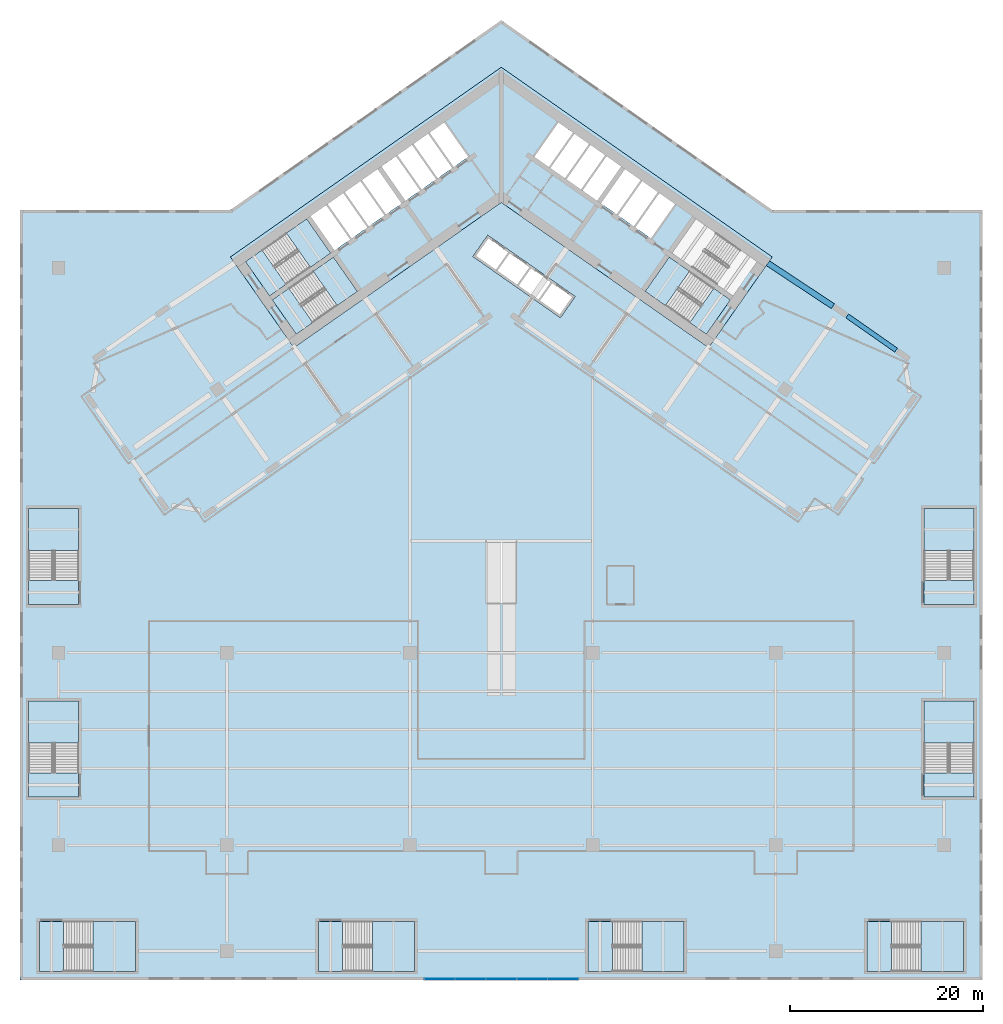
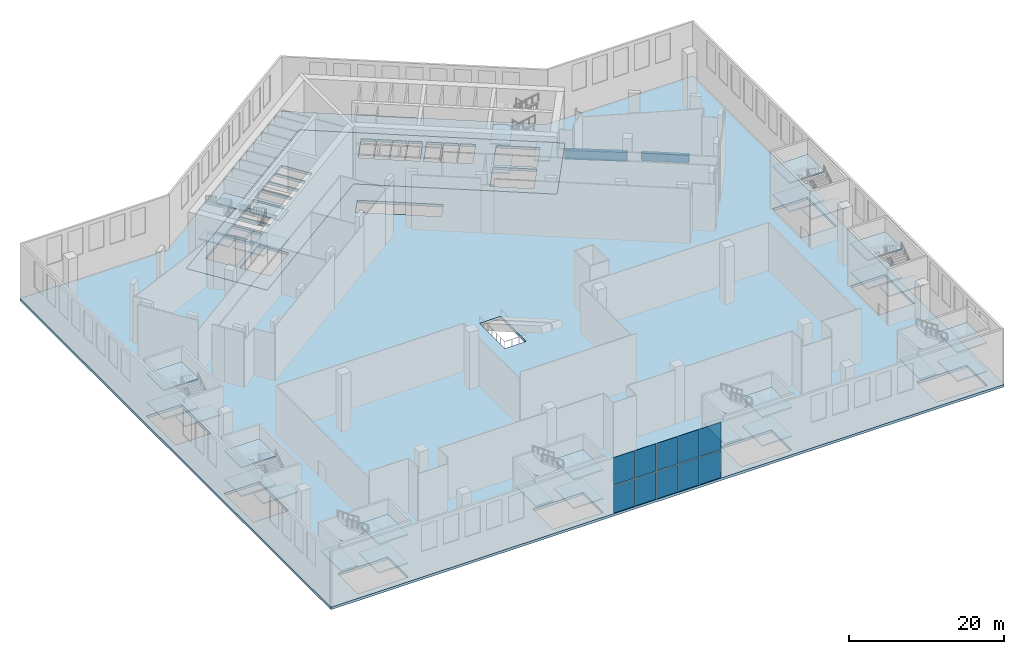
# One storey, part 4 of 27: 35 slabs, 10 plates, 2 beams, 12 elements without a shape of their own.
"""IFC4 building model written with IfcOpenShell, lengths in metres."""

from ifc_helpers import new_model, si_unit, direction, frame, origin, origin_2d, place, context, subcontext, project, spatial, polyline, rectangle, outline, extrude, material, layer, layer_set, material_profile, profile_set, type_object, element, aggregate, save


model = new_model("IFC4")

# Units and contexts
model_context = context("Model", 3, precision=1e-05, world=origin(), true_north=direction((0.0, 1.0)))
body_context = subcontext(model_context, "Body", "Model", "MODEL_VIEW")
ifc_project = project(units=[si_unit("LENGTHUNIT", "METRE"), si_unit("AREAUNIT", "SQUARE_METRE"), si_unit("VOLUMEUNIT", "CUBIC_METRE"), si_unit("PLANEANGLEUNIT", "RADIAN"), si_unit("MASSUNIT", "GRAM", prefix="KILO")], contexts=[model_context])

# Site, building, storey
site_placement = place(None, origin())
site = spatial("IfcSite", under=ifc_project, at=site_placement, CompositionType="ELEMENT")
building_placement = place(site_placement, origin())
building = spatial("IfcBuilding", under=site, at=building_placement, Name="Tel Ilan Convention Tower", CompositionType="ELEMENT")
storey_placement = place(building_placement, frame((0.0, 0.0, 9.0)))
storey = spatial("IfcBuildingStorey", under=building, at=storey_placement, Name="L01", CompositionType="ELEMENT", Elevation=9.0)

# Beams
ifc_material_1 = material(Name="Concrete C40/50", Category="concrete")
ifc_material_profile_1 = material_profile(ifc_material_1, rectangle(XDim=0.5, YDim=1.199951171875, at=origin_2d()), Name="RC 500x1200")
ifc_profile_set_1 = profile_set([ifc_material_profile_1], Name="Concrete C40/50")
beam_type_1 = type_object("IfcBeamType", Name="Beam RC 500x1200 Concrete C40/50", PredefinedType="BEAM", material=ifc_profile_set_1)
beam_1_placement = place(storey_placement, frame((41.013916015625, -16.571533203125, -1.0), z_axis=(-0.819154257689, 0.573573275275, 0.0), x_axis=(-0.573573275275, -0.819154257689, 0.0)))
element("IfcBeam", 1, at=beam_1_placement, inside=storey, type_object=beam_type_1, Name="L01 beam E-E-BC-E-B4", PredefinedType="BEAM", context=body_context, shape_type="SweptSolid", body=[
    extrude(rectangle(XDim=0.5, YDim=1.199951171875, at=origin_2d()), origin(), (0.0, 0.0, 1.0), 6.203369140625),
])
ifc_material_2 = material(Name="Concrete C40/50", Category="concrete")
ifc_material_profile_2 = material_profile(ifc_material_2, rectangle(XDim=0.60009765625, YDim=1.39990234375, at=origin_2d()), Name="RC 600x1400")
ifc_profile_set_2 = profile_set([ifc_material_profile_2], Name="Concrete C40/50")
beam_type_2 = type_object("IfcBeamType", Name="Beam RC 600x1400 Concrete C40/50", PredefinedType="BEAM", material=ifc_profile_set_2)
beam_2_placement = place(storey_placement, frame((34.446044921875, -12.002197265625, -1.10009765625), z_axis=(-0.834272961755, 0.551351634879, 0.0), x_axis=(-0.551351634879, -0.834272961755, 0.0)))
element("IfcBeam", 2, at=beam_2_placement, inside=storey, type_object=beam_type_2, Name="L01 beam E-E-B4-core", PredefinedType="BEAM", context=body_context, shape_type="SweptSolid", body=[
    extrude(rectangle(XDim=0.60009765625, YDim=1.39990234375, at=origin_2d()), origin(), (0.0, 0.0, 1.0), 8.103759765625),
])

# Curtain wall, plates
ifc_material_3 = material(Name="Aluminium, bronze anodised", Category="aluminium")
curtain_wall_type = type_object("IfcCurtainWallType", Name="CW3 FOYER CURTAIN WALL, CLEAR GLASS", PredefinedType="NOTDEFINED", material=ifc_material_3)
curtain_wall_placement = place(storey_placement, origin())
curtain_wall = element("IfcCurtainWall", 3, at=curtain_wall_placement, inside=storey, type_object=curtain_wall_type, Name="Curtain wall CW3-04.F01", PredefinedType="NOTDEFINED")
ifc_material_4 = material(Name="Glass, clear, two-ply", Category="glass")
ifc_layer_1 = layer(ifc_material_4, 0.028076171875)
ifc_layer_set_1 = layer_set([ifc_layer_1], Name="CW FOYER GLASS PANEL 28")
plate_type = type_object("IfcPlateType", Name="CW FOYER GLASS PANEL 28", PredefinedType="CURTAIN_PANEL", material=ifc_layer_set_1)
plate_1_placement = place(storey_placement, frame((-6.39990234375, -81.89990234375, 0.0), z_axis=(0.0, 0.0, 1.0), x_axis=(1.0, 0.0, 0.0)))
plate_1 = element("IfcPlate", 4, at=plate_1_placement, type_object=plate_type, Name="Glass panel", PredefinedType="CURTAIN_PANEL", context=body_context, shape_type="SweptSolid", body=[
    extrude(rectangle(XDim=3.139892578125, YDim=0.028076171875, at=origin_2d()), origin(), (0.0, 0.0, 1.0), 4.300048828125),
])
plate_2_placement = place(storey_placement, frame((-6.39990234375, -81.89990234375, 4.419921875), z_axis=(0.0, 0.0, 1.0), x_axis=(1.0, 0.0, 0.0)))
plate_2 = element("IfcPlate", 5, at=plate_2_placement, type_object=plate_type, Name="Glass panel", PredefinedType="CURTAIN_PANEL", context=body_context, shape_type="SweptSolid", body=[
    extrude(rectangle(XDim=3.139892578125, YDim=0.028076171875, at=origin_2d()), origin(), (0.0, 0.0, 1.0), 4.300048828125),
])
plate_3_placement = place(storey_placement, frame((-3.199951171875, -81.89990234375, 0.0), z_axis=(0.0, 0.0, 1.0), x_axis=(1.0, 0.0, 0.0)))
plate_3 = element("IfcPlate", 6, at=plate_3_placement, type_object=plate_type, Name="Glass panel", PredefinedType="CURTAIN_PANEL", context=body_context, shape_type="SweptSolid", body=[
    extrude(rectangle(XDim=3.139892578125, YDim=0.028076171875, at=origin_2d()), origin(), (0.0, 0.0, 1.0), 4.300048828125),
])
plate_4_placement = place(storey_placement, frame((-3.199951171875, -81.89990234375, 4.419921875), z_axis=(0.0, 0.0, 1.0), x_axis=(1.0, 0.0, 0.0)))
plate_4 = element("IfcPlate", 7, at=plate_4_placement, type_object=plate_type, Name="Glass panel", PredefinedType="CURTAIN_PANEL", context=body_context, shape_type="SweptSolid", body=[
    extrude(rectangle(XDim=3.139892578125, YDim=0.028076171875, at=origin_2d()), origin(), (0.0, 0.0, 1.0), 4.300048828125),
])
plate_5_placement = place(storey_placement, frame((0.0, -81.89990234375, 0.0), z_axis=(0.0, 0.0, 1.0), x_axis=(1.0, 0.0, 0.0)))
plate_5 = element("IfcPlate", 8, at=plate_5_placement, type_object=plate_type, Name="Glass panel", PredefinedType="CURTAIN_PANEL", context=body_context, shape_type="SweptSolid", body=[
    extrude(rectangle(XDim=3.139892578125, YDim=0.028076171875, at=origin_2d()), origin(), (0.0, 0.0, 1.0), 4.300048828125),
])
plate_6_placement = place(storey_placement, frame((0.0, -81.89990234375, 4.419921875), z_axis=(0.0, 0.0, 1.0), x_axis=(1.0, 0.0, 0.0)))
plate_6 = element("IfcPlate", 9, at=plate_6_placement, type_object=plate_type, Name="Glass panel", PredefinedType="CURTAIN_PANEL", context=body_context, shape_type="SweptSolid", body=[
    extrude(rectangle(XDim=3.139892578125, YDim=0.028076171875, at=origin_2d()), origin(), (0.0, 0.0, 1.0), 4.300048828125),
])
plate_7_placement = place(storey_placement, frame((3.199951171875, -81.89990234375, 0.0), z_axis=(0.0, 0.0, 1.0), x_axis=(1.0, 0.0, 0.0)))
plate_7 = element("IfcPlate", 10, at=plate_7_placement, type_object=plate_type, Name="Glass panel", PredefinedType="CURTAIN_PANEL", context=body_context, shape_type="SweptSolid", body=[
    extrude(rectangle(XDim=3.139892578125, YDim=0.028076171875, at=origin_2d()), origin(), (0.0, 0.0, 1.0), 4.300048828125),
])
plate_8_placement = place(storey_placement, frame((3.199951171875, -81.89990234375, 4.419921875), z_axis=(0.0, 0.0, 1.0), x_axis=(1.0, 0.0, 0.0)))
plate_8 = element("IfcPlate", 11, at=plate_8_placement, type_object=plate_type, Name="Glass panel", PredefinedType="CURTAIN_PANEL", context=body_context, shape_type="SweptSolid", body=[
    extrude(rectangle(XDim=3.139892578125, YDim=0.028076171875, at=origin_2d()), origin(), (0.0, 0.0, 1.0), 4.300048828125),
])
plate_9_placement = place(storey_placement, frame((6.39990234375, -81.89990234375, 0.0), z_axis=(0.0, 0.0, 1.0), x_axis=(1.0, 0.0, 0.0)))
plate_9 = element("IfcPlate", 12, at=plate_9_placement, type_object=plate_type, Name="Glass panel", PredefinedType="CURTAIN_PANEL", context=body_context, shape_type="SweptSolid", body=[
    extrude(rectangle(XDim=3.139892578125, YDim=0.028076171875, at=origin_2d()), origin(), (0.0, 0.0, 1.0), 4.300048828125),
])
plate_10_placement = place(storey_placement, frame((6.39990234375, -81.89990234375, 4.419921875), z_axis=(0.0, 0.0, 1.0), x_axis=(1.0, 0.0, 0.0)))
plate_10 = element("IfcPlate", 13, at=plate_10_placement, type_object=plate_type, Name="Glass panel", PredefinedType="CURTAIN_PANEL", context=body_context, shape_type="SweptSolid", body=[
    extrude(rectangle(XDim=3.139892578125, YDim=0.028076171875, at=origin_2d()), origin(), (0.0, 0.0, 1.0), 4.300048828125),
])
aggregate(curtain_wall, [plate_1, plate_2, plate_3, plate_4, plate_5, plate_6, plate_7, plate_8, plate_9, plate_10])

# Stair, slabs
ifc_material_5 = material(Name="Concrete C40/50", Category="concrete")
stair_type = type_object("IfcStairType", Name="Pressurised Exit Stair 48 risers 188 mm", PredefinedType="HALF_TURN_STAIR", material=ifc_material_5)
stair_1_placement = place(storey_placement, origin())
stair_1 = element("IfcStair", 14, at=stair_1_placement, inside=storey, type_object=stair_type, Name="L01 Pressurised Stair S1", PredefinedType="HALF_TURN_STAIR")
ifc_material_6 = material(Name="Concrete C40/50", Category="concrete")
ifc_layer_2 = layer(ifc_material_6, 0.199951171875)
ifc_layer_set_2 = layer_set([ifc_layer_2], Name="Concrete Stair Landing 200 mm C40/50")
slab_type_1 = type_object("IfcSlabType", Name="Concrete Stair Landing 200 mm", PredefinedType="LANDING", material=ifc_layer_set_2)
slab_1_placement = place(storey_placement, frame((0.0, 0.0, 2.050048828125)))
slab_1 = element("IfcSlab", 15, at=slab_1_placement, type_object=slab_type_1, Name="S1 landing 1", PredefinedType="LANDING", context=body_context, shape_type="SweptSolid", body=[
    extrude(outline(polyline([(-19.837158203125, -7.969482421875), (-17.7314453125, -6.494873046875), (-20.226318359375, -2.931640625), (-22.332275390625, -4.406005859375), (-19.837158203125, -7.969482421875)])), origin(), (0.0, 0.0, 1.0), 0.199951171875),
])
slab_2_placement = place(storey_placement, frame((0.0, 0.0, 4.300048828125)))
slab_2 = element("IfcSlab", 16, at=slab_2_placement, type_object=slab_type_1, Name="S1 landing 2", PredefinedType="LANDING", context=body_context, shape_type="SweptSolid", body=[
    extrude(outline(polyline([(-24.079833984375, -10.940185546875), (-22.35888671875, -9.735107421875), (-24.85400390625, -6.171875), (-26.574951171875, -7.376708984375), (-24.079833984375, -10.940185546875)])), origin(), (0.0, 0.0, 1.0), 0.199951171875),
])
slab_3_placement = place(storey_placement, frame((0.0, 0.0, 6.550048828125)))
slab_3 = element("IfcSlab", 17, at=slab_3_placement, type_object=slab_type_1, Name="S1 landing 3", PredefinedType="LANDING", context=body_context, shape_type="SweptSolid", body=[
    extrude(outline(polyline([(-19.837158203125, -7.969482421875), (-17.7314453125, -6.494873046875), (-20.226318359375, -2.931640625), (-22.332275390625, -4.406005859375), (-19.837158203125, -7.969482421875)])), origin(), (0.0, 0.0, 1.0), 0.199951171875),
])
aggregate(stair_1, [slab_1, slab_2, slab_3])

stair_2_placement = place(storey_placement, origin())
stair_2 = element("IfcStair", 18, at=stair_2_placement, inside=storey, type_object=stair_type, Name="L01 Pressurised Stair S2", PredefinedType="HALF_TURN_STAIR")
slab_4_placement = place(storey_placement, frame((0.0, 0.0, 2.050048828125)))
slab_4 = element("IfcSlab", 19, at=slab_4_placement, type_object=slab_type_1, Name="S2 landing 1", PredefinedType="LANDING", context=body_context, shape_type="SweptSolid", body=[
    extrude(outline(polyline([(-17.055419921875, -11.9423828125), (-14.949462890625, -10.4677734375), (-17.444580078125, -6.904541015625), (-19.550537109375, -8.37890625), (-17.055419921875, -11.9423828125)])), origin(), (0.0, 0.0, 1.0), 0.199951171875),
])
slab_5_placement = place(storey_placement, frame((0.0, 0.0, 4.300048828125)))
slab_5 = element("IfcSlab", 20, at=slab_5_placement, type_object=slab_type_1, Name="S2 landing 2", PredefinedType="LANDING", context=body_context, shape_type="SweptSolid", body=[
    extrude(outline(polyline([(-21.2978515625, -14.9130859375), (-19.5771484375, -13.7080078125), (-22.072021484375, -10.144775390625), (-23.79296875, -11.349609375), (-21.2978515625, -14.9130859375)])), origin(), (0.0, 0.0, 1.0), 0.199951171875),
])
slab_6_placement = place(storey_placement, frame((0.0, 0.0, 6.550048828125)))
slab_6 = element("IfcSlab", 21, at=slab_6_placement, type_object=slab_type_1, Name="S2 landing 3", PredefinedType="LANDING", context=body_context, shape_type="SweptSolid", body=[
    extrude(outline(polyline([(-17.055419921875, -11.9423828125), (-14.949462890625, -10.4677734375), (-17.444580078125, -6.904541015625), (-19.550537109375, -8.37890625), (-17.055419921875, -11.9423828125)])), origin(), (0.0, 0.0, 1.0), 0.199951171875),
])
aggregate(stair_2, [slab_4, slab_5, slab_6])

stair_3_placement = place(storey_placement, origin())
stair_3 = element("IfcStair", 22, at=stair_3_placement, inside=storey, type_object=stair_type, Name="L01 Pressurised Stair S4", PredefinedType="HALF_TURN_STAIR")
slab_7_placement = place(storey_placement, frame((0.0, 0.0, 2.050048828125)))
slab_7 = element("IfcSlab", 23, at=slab_7_placement, type_object=slab_type_1, Name="S4 landing 1", PredefinedType="LANDING", context=body_context, shape_type="SweptSolid", body=[
    extrude(outline(polyline([(19.550537109375, -8.37890625), (17.444580078125, -6.904541015625), (14.949462890625, -10.4677734375), (17.055419921875, -11.9423828125), (19.550537109375, -8.37890625)])), origin(), (0.0, 0.0, 1.0), 0.199951171875),
])
slab_8_placement = place(storey_placement, frame((0.0, 0.0, 4.300048828125)))
slab_8 = element("IfcSlab", 24, at=slab_8_placement, type_object=slab_type_1, Name="S4 landing 2", PredefinedType="LANDING", context=body_context, shape_type="SweptSolid", body=[
    extrude(outline(polyline([(23.79296875, -11.349609375), (22.072021484375, -10.144775390625), (19.5771484375, -13.7080078125), (21.2978515625, -14.9130859375), (23.79296875, -11.349609375)])), origin(), (0.0, 0.0, 1.0), 0.199951171875),
])
slab_9_placement = place(storey_placement, frame((0.0, 0.0, 6.550048828125)))
slab_9 = element("IfcSlab", 25, at=slab_9_placement, type_object=slab_type_1, Name="S4 landing 3", PredefinedType="LANDING", context=body_context, shape_type="SweptSolid", body=[
    extrude(outline(polyline([(19.550537109375, -8.37890625), (17.444580078125, -6.904541015625), (14.949462890625, -10.4677734375), (17.055419921875, -11.9423828125), (19.550537109375, -8.37890625)])), origin(), (0.0, 0.0, 1.0), 0.199951171875),
])
aggregate(stair_3, [slab_7, slab_8, slab_9])

stair_4_placement = place(storey_placement, origin())
stair_4 = element("IfcStair", 26, at=stair_4_placement, inside=storey, type_object=stair_type, Name="L01 Podium Exit Stair P1", PredefinedType="HALF_TURN_STAIR")
slab_10_placement = place(storey_placement, frame((0.0, 0.0, 2.050048828125)))
slab_10 = element("IfcSlab", 27, at=slab_10_placement, type_object=slab_type_1, Name="P1 landing 1", PredefinedType="LANDING", context=body_context, shape_type="SweptSolid", body=[
    extrude(outline(polyline([(-42.395751953125, -81.10009765625), (-38.0, -81.10009765625), (-38.0, -75.89990234375), (-42.395751953125, -75.89990234375), (-42.395751953125, -81.10009765625)])), origin(), (0.0, 0.0, 1.0), 0.199951171875),
])
slab_11_placement = place(storey_placement, frame((0.0, 0.0, 4.300048828125)))
slab_11 = element("IfcSlab", 28, at=slab_11_placement, type_object=slab_type_1, Name="P1 landing 2", PredefinedType="LANDING", context=body_context, shape_type="SweptSolid", body=[
    extrude(outline(polyline([(-48.0, -81.10009765625), (-45.47412109375, -81.10009765625), (-45.47412109375, -75.89990234375), (-48.0, -75.89990234375), (-48.0, -81.10009765625)])), origin(), (0.0, 0.0, 1.0), 0.199951171875),
])
slab_12_placement = place(storey_placement, frame((0.0, 0.0, 6.550048828125)))
slab_12 = element("IfcSlab", 29, at=slab_12_placement, type_object=slab_type_1, Name="P1 landing 3", PredefinedType="LANDING", context=body_context, shape_type="SweptSolid", body=[
    extrude(outline(polyline([(-42.395751953125, -81.10009765625), (-38.0, -81.10009765625), (-38.0, -75.89990234375), (-42.395751953125, -75.89990234375), (-42.395751953125, -81.10009765625)])), origin(), (0.0, 0.0, 1.0), 0.199951171875),
])
aggregate(stair_4, [slab_10, slab_11, slab_12])

stair_5_placement = place(storey_placement, origin())
stair_5 = element("IfcStair", 30, at=stair_5_placement, inside=storey, type_object=stair_type, Name="L01 Podium Exit Stair P2", PredefinedType="HALF_TURN_STAIR")
slab_13_placement = place(storey_placement, frame((0.0, 0.0, 2.050048828125)))
slab_13 = element("IfcSlab", 31, at=slab_13_placement, type_object=slab_type_1, Name="P2 landing 1", PredefinedType="LANDING", context=body_context, shape_type="SweptSolid", body=[
    extrude(outline(polyline([(-13.395751953125, -81.10009765625), (-9.0, -81.10009765625), (-9.0, -75.89990234375), (-13.395751953125, -75.89990234375), (-13.395751953125, -81.10009765625)])), origin(), (0.0, 0.0, 1.0), 0.199951171875),
])
slab_14_placement = place(storey_placement, frame((0.0, 0.0, 4.300048828125)))
slab_14 = element("IfcSlab", 32, at=slab_14_placement, type_object=slab_type_1, Name="P2 landing 2", PredefinedType="LANDING", context=body_context, shape_type="SweptSolid", body=[
    extrude(outline(polyline([(-19.0, -81.10009765625), (-16.47412109375, -81.10009765625), (-16.47412109375, -75.89990234375), (-19.0, -75.89990234375), (-19.0, -81.10009765625)])), origin(), (0.0, 0.0, 1.0), 0.199951171875),
])
slab_15_placement = place(storey_placement, frame((0.0, 0.0, 6.550048828125)))
slab_15 = element("IfcSlab", 33, at=slab_15_placement, type_object=slab_type_1, Name="P2 landing 3", PredefinedType="LANDING", context=body_context, shape_type="SweptSolid", body=[
    extrude(outline(polyline([(-13.395751953125, -81.10009765625), (-9.0, -81.10009765625), (-9.0, -75.89990234375), (-13.395751953125, -75.89990234375), (-13.395751953125, -81.10009765625)])), origin(), (0.0, 0.0, 1.0), 0.199951171875),
])
aggregate(stair_5, [slab_13, slab_14, slab_15])

stair_6_placement = place(storey_placement, origin())
stair_6 = element("IfcStair", 34, at=stair_6_placement, inside=storey, type_object=stair_type, Name="L01 Podium Exit Stair P3", PredefinedType="HALF_TURN_STAIR")
slab_16_placement = place(storey_placement, frame((0.0, 0.0, 2.050048828125)))
slab_16 = element("IfcSlab", 35, at=slab_16_placement, type_object=slab_type_1, Name="P3 landing 1", PredefinedType="LANDING", context=body_context, shape_type="SweptSolid", body=[
    extrude(outline(polyline([(14.604248046875, -81.10009765625), (19.0, -81.10009765625), (19.0, -75.89990234375), (14.604248046875, -75.89990234375), (14.604248046875, -81.10009765625)])), origin(), (0.0, 0.0, 1.0), 0.199951171875),
])
slab_17_placement = place(storey_placement, frame((0.0, 0.0, 4.300048828125)))
slab_17 = element("IfcSlab", 36, at=slab_17_placement, type_object=slab_type_1, Name="P3 landing 2", PredefinedType="LANDING", context=body_context, shape_type="SweptSolid", body=[
    extrude(outline(polyline([(9.0, -81.10009765625), (11.52587890625, -81.10009765625), (11.52587890625, -75.89990234375), (9.0, -75.89990234375), (9.0, -81.10009765625)])), origin(), (0.0, 0.0, 1.0), 0.199951171875),
])
slab_18_placement = place(storey_placement, frame((0.0, 0.0, 6.550048828125)))
slab_18 = element("IfcSlab", 37, at=slab_18_placement, type_object=slab_type_1, Name="P3 landing 3", PredefinedType="LANDING", context=body_context, shape_type="SweptSolid", body=[
    extrude(outline(polyline([(14.604248046875, -81.10009765625), (19.0, -81.10009765625), (19.0, -75.89990234375), (14.604248046875, -75.89990234375), (14.604248046875, -81.10009765625)])), origin(), (0.0, 0.0, 1.0), 0.199951171875),
])
aggregate(stair_6, [slab_16, slab_17, slab_18])

stair_7_placement = place(storey_placement, origin())
stair_7 = element("IfcStair", 38, at=stair_7_placement, inside=storey, type_object=stair_type, Name="L01 Podium Exit Stair P4", PredefinedType="HALF_TURN_STAIR")
slab_19_placement = place(storey_placement, frame((0.0, 0.0, 2.050048828125)))
slab_19 = element("IfcSlab", 39, at=slab_19_placement, type_object=slab_type_1, Name="P4 landing 1", PredefinedType="LANDING", context=body_context, shape_type="SweptSolid", body=[
    extrude(outline(polyline([(43.604248046875, -81.10009765625), (48.0, -81.10009765625), (48.0, -75.89990234375), (43.604248046875, -75.89990234375), (43.604248046875, -81.10009765625)])), origin(), (0.0, 0.0, 1.0), 0.199951171875),
])
slab_20_placement = place(storey_placement, frame((0.0, 0.0, 4.300048828125)))
slab_20 = element("IfcSlab", 40, at=slab_20_placement, type_object=slab_type_1, Name="P4 landing 2", PredefinedType="LANDING", context=body_context, shape_type="SweptSolid", body=[
    extrude(outline(polyline([(38.0, -81.10009765625), (40.52587890625, -81.10009765625), (40.52587890625, -75.89990234375), (38.0, -75.89990234375), (38.0, -81.10009765625)])), origin(), (0.0, 0.0, 1.0), 0.199951171875),
])
slab_21_placement = place(storey_placement, frame((0.0, 0.0, 6.550048828125)))
slab_21 = element("IfcSlab", 41, at=slab_21_placement, type_object=slab_type_1, Name="P4 landing 3", PredefinedType="LANDING", context=body_context, shape_type="SweptSolid", body=[
    extrude(outline(polyline([(43.604248046875, -81.10009765625), (48.0, -81.10009765625), (48.0, -75.89990234375), (43.604248046875, -75.89990234375), (43.604248046875, -81.10009765625)])), origin(), (0.0, 0.0, 1.0), 0.199951171875),
])
aggregate(stair_7, [slab_19, slab_20, slab_21])

stair_8_placement = place(storey_placement, origin())
stair_8 = element("IfcStair", 42, at=stair_8_placement, inside=storey, type_object=stair_type, Name="L01 Podium Exit Stair P5", PredefinedType="HALF_TURN_STAIR")
slab_22_placement = place(storey_placement, frame((0.0, 0.0, 2.050048828125)))
slab_22 = element("IfcSlab", 43, at=slab_22_placement, type_object=slab_type_1, Name="P5 landing 1", PredefinedType="LANDING", context=body_context, shape_type="SweptSolid", body=[
    extrude(outline(polyline([(-43.89990234375, -57.395751953125), (-43.89990234375, -53.0), (-49.10009765625, -53.0), (-49.10009765625, -57.395751953125), (-43.89990234375, -57.395751953125)])), origin(), (0.0, 0.0, 1.0), 0.199951171875),
])
slab_23_placement = place(storey_placement, frame((0.0, 0.0, 4.300048828125)))
slab_23 = element("IfcSlab", 44, at=slab_23_placement, type_object=slab_type_1, Name="P5 landing 2", PredefinedType="LANDING", context=body_context, shape_type="SweptSolid", body=[
    extrude(outline(polyline([(-43.89990234375, -63.0), (-43.89990234375, -60.47412109375), (-49.10009765625, -60.47412109375), (-49.10009765625, -63.0), (-43.89990234375, -63.0)])), origin(), (0.0, 0.0, 1.0), 0.199951171875),
])
slab_24_placement = place(storey_placement, frame((0.0, 0.0, 6.550048828125)))
slab_24 = element("IfcSlab", 45, at=slab_24_placement, type_object=slab_type_1, Name="P5 landing 3", PredefinedType="LANDING", context=body_context, shape_type="SweptSolid", body=[
    extrude(outline(polyline([(-43.89990234375, -57.395751953125), (-43.89990234375, -53.0), (-49.10009765625, -53.0), (-49.10009765625, -57.395751953125), (-43.89990234375, -57.395751953125)])), origin(), (0.0, 0.0, 1.0), 0.199951171875),
])
aggregate(stair_8, [slab_22, slab_23, slab_24])

stair_9_placement = place(storey_placement, origin())
stair_9 = element("IfcStair", 46, at=stair_9_placement, inside=storey, type_object=stair_type, Name="L01 Podium Exit Stair P6", PredefinedType="HALF_TURN_STAIR")
slab_25_placement = place(storey_placement, frame((0.0, 0.0, 2.050048828125)))
slab_25 = element("IfcSlab", 47, at=slab_25_placement, type_object=slab_type_1, Name="P6 landing 1", PredefinedType="LANDING", context=body_context, shape_type="SweptSolid", body=[
    extrude(outline(polyline([(49.10009765625, -57.395751953125), (49.10009765625, -53.0), (43.89990234375, -53.0), (43.89990234375, -57.395751953125), (49.10009765625, -57.395751953125)])), origin(), (0.0, 0.0, 1.0), 0.199951171875),
])
slab_26_placement = place(storey_placement, frame((0.0, 0.0, 4.300048828125)))
slab_26 = element("IfcSlab", 48, at=slab_26_placement, type_object=slab_type_1, Name="P6 landing 2", PredefinedType="LANDING", context=body_context, shape_type="SweptSolid", body=[
    extrude(outline(polyline([(49.10009765625, -63.0), (49.10009765625, -60.47412109375), (43.89990234375, -60.47412109375), (43.89990234375, -63.0), (49.10009765625, -63.0)])), origin(), (0.0, 0.0, 1.0), 0.199951171875),
])
slab_27_placement = place(storey_placement, frame((0.0, 0.0, 6.550048828125)))
slab_27 = element("IfcSlab", 49, at=slab_27_placement, type_object=slab_type_1, Name="P6 landing 3", PredefinedType="LANDING", context=body_context, shape_type="SweptSolid", body=[
    extrude(outline(polyline([(49.10009765625, -57.395751953125), (49.10009765625, -53.0), (43.89990234375, -53.0), (43.89990234375, -57.395751953125), (49.10009765625, -57.395751953125)])), origin(), (0.0, 0.0, 1.0), 0.199951171875),
])
aggregate(stair_9, [slab_25, slab_26, slab_27])

stair_10_placement = place(storey_placement, origin())
stair_10 = element("IfcStair", 50, at=stair_10_placement, inside=storey, type_object=stair_type, Name="L01 Podium Exit Stair P7", PredefinedType="HALF_TURN_STAIR")
slab_28_placement = place(storey_placement, frame((0.0, 0.0, 2.050048828125)))
slab_28 = element("IfcSlab", 51, at=slab_28_placement, type_object=slab_type_1, Name="P7 landing 1", PredefinedType="LANDING", context=body_context, shape_type="SweptSolid", body=[
    extrude(outline(polyline([(-43.89990234375, -37.395751953125), (-43.89990234375, -33.0), (-49.10009765625, -33.0), (-49.10009765625, -37.395751953125), (-43.89990234375, -37.395751953125)])), origin(), (0.0, 0.0, 1.0), 0.199951171875),
])
slab_29_placement = place(storey_placement, frame((0.0, 0.0, 4.300048828125)))
slab_29 = element("IfcSlab", 52, at=slab_29_placement, type_object=slab_type_1, Name="P7 landing 2", PredefinedType="LANDING", context=body_context, shape_type="SweptSolid", body=[
    extrude(outline(polyline([(-43.89990234375, -43.0), (-43.89990234375, -40.47412109375), (-49.10009765625, -40.47412109375), (-49.10009765625, -43.0), (-43.89990234375, -43.0)])), origin(), (0.0, 0.0, 1.0), 0.199951171875),
])
slab_30_placement = place(storey_placement, frame((0.0, 0.0, 6.550048828125)))
slab_30 = element("IfcSlab", 53, at=slab_30_placement, type_object=slab_type_1, Name="P7 landing 3", PredefinedType="LANDING", context=body_context, shape_type="SweptSolid", body=[
    extrude(outline(polyline([(-43.89990234375, -37.395751953125), (-43.89990234375, -33.0), (-49.10009765625, -33.0), (-49.10009765625, -37.395751953125), (-43.89990234375, -37.395751953125)])), origin(), (0.0, 0.0, 1.0), 0.199951171875),
])
aggregate(stair_10, [slab_28, slab_29, slab_30])

stair_11_placement = place(storey_placement, origin())
stair_11 = element("IfcStair", 54, at=stair_11_placement, inside=storey, type_object=stair_type, Name="L01 Podium Exit Stair P8", PredefinedType="HALF_TURN_STAIR")
slab_31_placement = place(storey_placement, frame((0.0, 0.0, 2.050048828125)))
slab_31 = element("IfcSlab", 55, at=slab_31_placement, type_object=slab_type_1, Name="P8 landing 1", PredefinedType="LANDING", context=body_context, shape_type="SweptSolid", body=[
    extrude(outline(polyline([(49.10009765625, -37.395751953125), (49.10009765625, -33.0), (43.89990234375, -33.0), (43.89990234375, -37.395751953125), (49.10009765625, -37.395751953125)])), origin(), (0.0, 0.0, 1.0), 0.199951171875),
])
slab_32_placement = place(storey_placement, frame((0.0, 0.0, 4.300048828125)))
slab_32 = element("IfcSlab", 56, at=slab_32_placement, type_object=slab_type_1, Name="P8 landing 2", PredefinedType="LANDING", context=body_context, shape_type="SweptSolid", body=[
    extrude(outline(polyline([(49.10009765625, -43.0), (49.10009765625, -40.47412109375), (43.89990234375, -40.47412109375), (43.89990234375, -43.0), (49.10009765625, -43.0)])), origin(), (0.0, 0.0, 1.0), 0.199951171875),
])
slab_33_placement = place(storey_placement, frame((0.0, 0.0, 6.550048828125)))
slab_33 = element("IfcSlab", 57, at=slab_33_placement, type_object=slab_type_1, Name="P8 landing 3", PredefinedType="LANDING", context=body_context, shape_type="SweptSolid", body=[
    extrude(outline(polyline([(49.10009765625, -37.395751953125), (49.10009765625, -33.0), (43.89990234375, -33.0), (43.89990234375, -37.395751953125), (49.10009765625, -37.395751953125)])), origin(), (0.0, 0.0, 1.0), 0.199951171875),
])
aggregate(stair_11, [slab_31, slab_32, slab_33])

# Slabs
ifc_material_7 = material(Name="Concrete C40/50", Category="concrete")
ifc_layer_3 = layer(ifc_material_7, 0.39990234375)
ifc_layer_set_3 = layer_set([ifc_layer_3], Name="Core Floor Slab 400 mm C40/50")
slab_type_2 = type_object("IfcSlabType", Name="Core Floor Slab 400 mm C40/50", PredefinedType="FLOOR", material=ifc_layer_set_3)
slab_34_placement = place(storey_placement, frame((0.0, 0.0, -0.39990234375)))
element("IfcSlab", 58, at=slab_34_placement, inside=storey, type_object=slab_type_2, Name="L01 core floor 1", PredefinedType="FLOOR", context=body_context, shape_type="SweptSolid", body=[
    extrude(outline(polyline([(-28.1396484375, -6.885498046875), (0.0, 12.818115234375), (28.1396484375, -6.885498046875), (21.54345703125, -16.3056640625), (0.0, -1.220703125), (-21.54345703125, -16.3056640625), (-28.1396484375, -6.885498046875)]), holes=[polyline([(-19.5771484375, -13.7080078125), (-14.949462890625, -10.4677734375), (-17.444580078125, -6.904541015625), (-22.072021484375, -10.144775390625), (-19.5771484375, -13.7080078125)]), polyline([(-22.35888671875, -9.735107421875), (-17.7314453125, -6.494873046875), (-20.226318359375, -2.931640625), (-24.85400390625, -6.171875), (-22.35888671875, -9.735107421875)]), polyline([(-15.7041015625, -5.0751953125), (-18.198974609375, -1.511962890625), (-19.81689453125, -2.644775390625), (-17.32177734375, -6.2080078125), (-15.7041015625, -5.0751953125)]), polyline([(-13.92236328125, -3.827880859375), (-16.41748046875, -0.264404296875), (-18.03515625, -1.397216796875), (-15.5400390625, -4.960693359375), (-13.92236328125, -3.827880859375)]), polyline([(-12.140625, -2.580078125), (-14.6357421875, 0.983154296875), (-16.25341796875, -0.149658203125), (-13.758544921875, -3.712890625), (-12.140625, -2.580078125)]), polyline([(-10.35888671875, -1.332763671875), (-12.85400390625, 2.230712890625), (-14.471923828125, 1.097900390625), (-11.976806640625, -2.465576171875), (-10.35888671875, -1.332763671875)]), polyline([(-8.444091796875, 0.008056640625), (-10.939208984375, 3.5712890625), (-12.444580078125, 2.517333984375), (-9.949462890625, -1.0458984375), (-8.444091796875, 0.008056640625)]), polyline([(-6.775146484375, 1.1767578125), (-9.270263671875, 4.739990234375), (-10.775390625, 3.68603515625), (-8.280517578125, 0.122802734375), (-6.775146484375, 1.1767578125)]), polyline([(-5.106201171875, 2.345458984375), (-7.601318359375, 5.90869140625), (-9.1064453125, 4.854736328125), (-6.611328125, 1.29150390625), (-5.106201171875, 2.345458984375)]), polyline([(-3.437255859375, 3.513916015625), (-5.93212890625, 7.077392578125), (-7.4375, 6.0234375), (-4.9423828125, 2.460205078125), (-3.437255859375, 3.513916015625)]), polyline([(22.072021484375, -10.144775390625), (17.444580078125, -6.904541015625), (14.949462890625, -10.4677734375), (19.5771484375, -13.7080078125), (22.072021484375, -10.144775390625)]), polyline([(24.85400390625, -6.171875), (20.226318359375, -2.931640625), (17.7314453125, -6.494873046875), (22.35888671875, -9.735107421875), (24.85400390625, -6.171875)]), polyline([(13.92236328125, -3.827880859375), (15.5400390625, -4.960693359375), (18.03515625, -1.397216796875), (16.41748046875, -0.264404296875), (13.92236328125, -3.827880859375)]), polyline([(12.140625, -2.580078125), (13.758544921875, -3.712890625), (16.25341796875, -0.149658203125), (14.6357421875, 0.983154296875), (12.140625, -2.580078125)]), polyline([(10.35888671875, -1.332763671875), (11.976806640625, -2.465576171875), (14.471923828125, 1.097900390625), (12.85400390625, 2.230712890625), (10.35888671875, -1.332763671875)]), polyline([(8.444091796875, 0.008056640625), (9.949462890625, -1.0458984375), (12.444580078125, 2.517333984375), (10.939208984375, 3.5712890625), (8.444091796875, 0.008056640625)]), polyline([(6.775146484375, 1.1767578125), (8.280517578125, 0.122802734375), (10.775390625, 3.68603515625), (9.270263671875, 4.739990234375), (6.775146484375, 1.1767578125)]), polyline([(5.106201171875, 2.345458984375), (6.611328125, 1.29150390625), (9.1064453125, 4.854736328125), (7.601318359375, 5.90869140625), (5.106201171875, 2.345458984375)]), polyline([(3.437255859375, 3.513916015625), (4.9423828125, 2.460205078125), (7.4375, 6.0234375), (5.93212890625, 7.077392578125), (3.437255859375, 3.513916015625)])]), origin(), (0.0, 0.0, 1.0), 0.39990234375),
])
ifc_material_8 = material(Name="Concrete C40/50", Category="concrete")
ifc_layer_4 = layer(ifc_material_8, 0.39990234375)
ifc_layer_set_4 = layer_set([ifc_layer_4], Name="Podium Floor Slab 400 mm C40/50")
slab_type_3 = type_object("IfcSlabType", Name="Podium Floor Slab 400 mm C40/50", PredefinedType="FLOOR", material=ifc_layer_set_4)
slab_35_placement = place(storey_placement, frame((0.0, 0.0, -0.39990234375)))
element("IfcSlab", 59, at=slab_35_placement, inside=storey, type_object=slab_type_3, Name="L01 floor slab", PredefinedType="FLOOR", context=body_context, shape_type="SweptSolid", body=[
    extrude(outline(polyline([(-50.0, -2.0), (-28.13623046875, -2.0), (0.0, 17.701171875), (28.13623046875, -2.0), (50.0, -2.0), (50.0, -82.0), (-50.0, -82.0), (-50.0, -2.0)]), holes=[polyline([(43.89990234375, -53.0), (43.89990234375, -60.47412109375), (49.10009765625, -60.47412109375), (49.10009765625, -53.0), (43.89990234375, -53.0)]), polyline([(49.10009765625, -33.0), (43.89990234375, -33.0), (43.89990234375, -40.47412109375), (49.10009765625, -40.47412109375), (49.10009765625, -33.0)]), polyline([(48.0, -75.89990234375), (40.52587890625, -75.89990234375), (40.52587890625, -81.10009765625), (48.0, -81.10009765625), (48.0, -75.89990234375)]), polyline([(21.54345703125, -16.3056640625), (28.1396484375, -6.885498046875), (0.0, 12.818115234375), (-28.1396484375, -6.885498046875), (-21.54345703125, -16.3056640625), (0.0, -1.220703125), (21.54345703125, -16.3056640625)]), polyline([(11.52587890625, -75.89990234375), (11.52587890625, -81.10009765625), (19.0, -81.10009765625), (19.0, -75.89990234375), (11.52587890625, -75.89990234375)]), polyline([(6.13427734375, -13.206787109375), (7.682861328125, -10.9951171875), (-1.40966796875, -4.62841796875), (-2.95849609375, -6.840087890625), (6.13427734375, -13.206787109375)]), polyline([(-1.60009765625, -36.41162109375), (-1.60009765625, -42.91162109375), (1.60009765625, -42.91162109375), (1.60009765625, -36.41162109375), (-1.60009765625, -36.41162109375)]), polyline([(-16.47412109375, -75.89990234375), (-16.47412109375, -81.10009765625), (-9.0, -81.10009765625), (-9.0, -75.89990234375), (-16.47412109375, -75.89990234375)]), polyline([(-45.47412109375, -75.89990234375), (-45.47412109375, -81.10009765625), (-38.0, -81.10009765625), (-38.0, -75.89990234375), (-45.47412109375, -75.89990234375)]), polyline([(-49.10009765625, -33.0), (-49.10009765625, -40.47412109375), (-43.89990234375, -40.47412109375), (-43.89990234375, -33.0), (-49.10009765625, -33.0)]), polyline([(-43.89990234375, -53.0), (-49.10009765625, -53.0), (-49.10009765625, -60.47412109375), (-43.89990234375, -60.47412109375), (-43.89990234375, -53.0)])]), origin(), (0.0, 0.0, 1.0), 0.39990234375),
])

save(model, "model.ifc")
